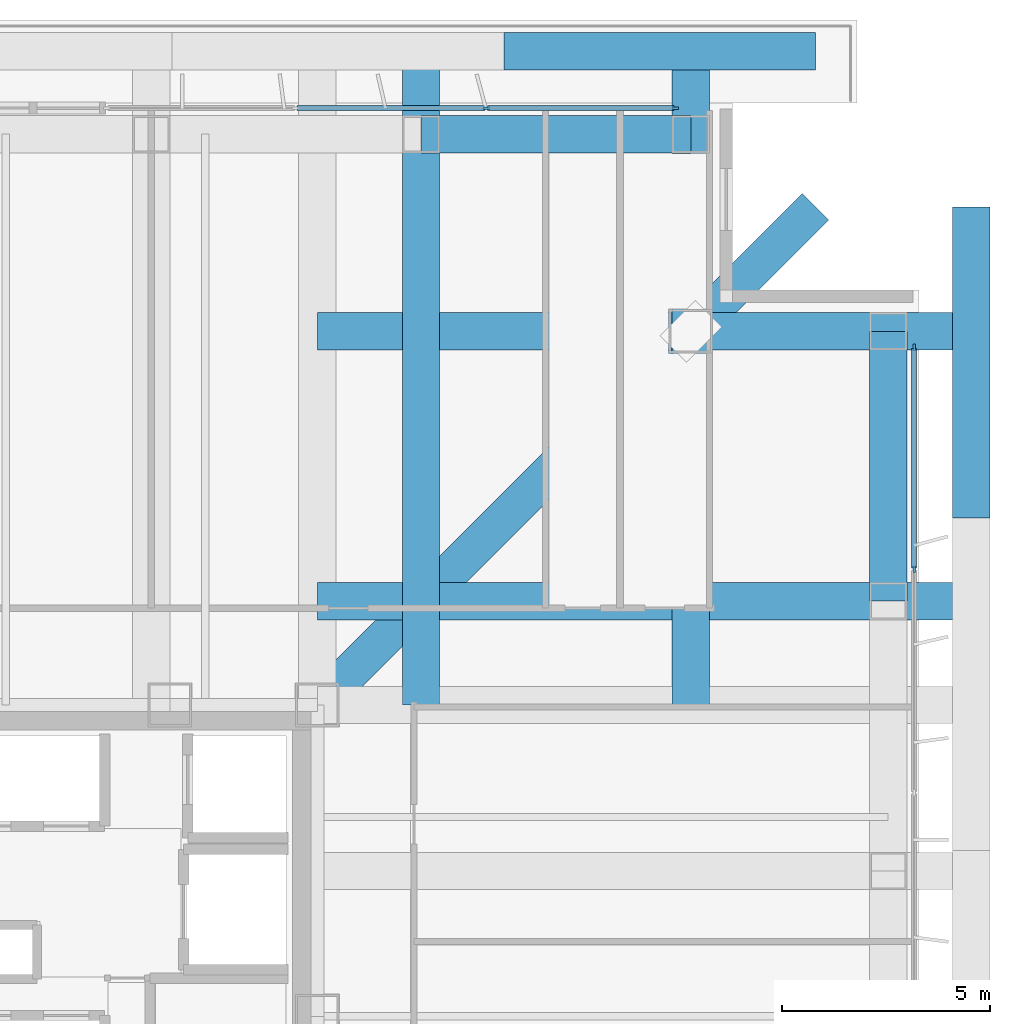
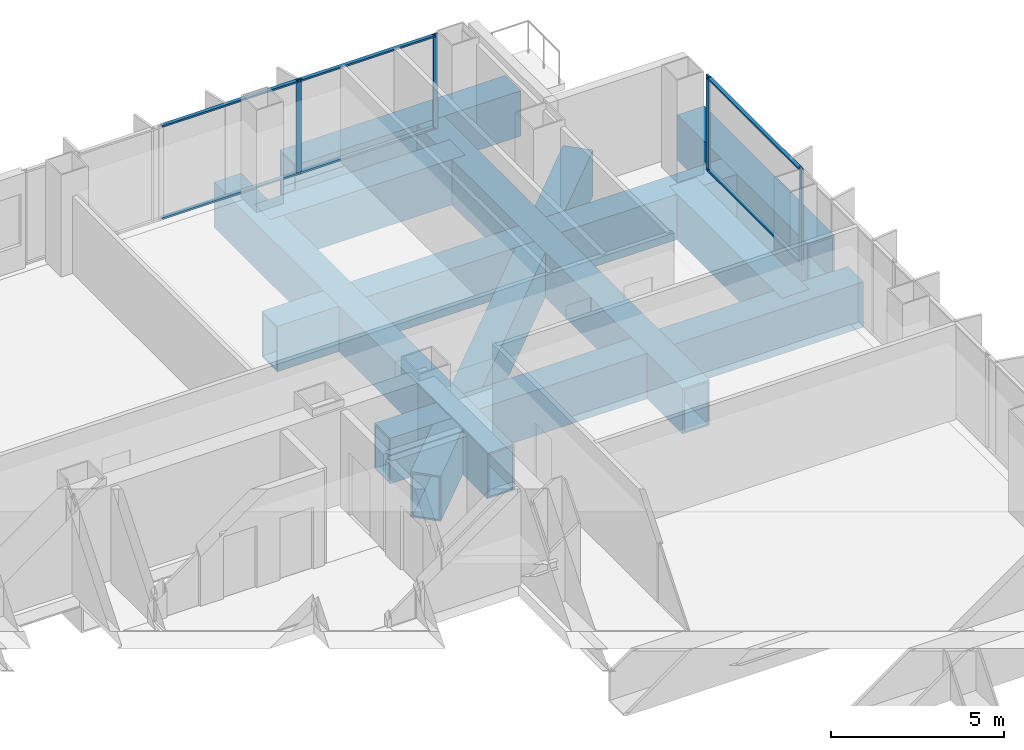
# One storey, part 10 of 17: 10 members, 9 beams, 2 elements without a shape of their own.
"""IFC4 building model written with IfcOpenShell, lengths in metres."""

from ifc_helpers import new_model, si_unit, direction, frame, origin, origin_2d, place, context, subcontext, project, spatial, rectangle, hollow_rectangle, extrude, material, layer, layer_set, material_profile, profile_set, type_object, element, aggregate, save


model = new_model("IFC4")

# Units and contexts
model_context = context("Model", 3, precision=1e-05, world=origin(), true_north=direction((0.0, 1.0)))
body_context = subcontext(model_context, "Body", "Model", "MODEL_VIEW")
ifc_project = project(units=[si_unit("LENGTHUNIT", "METRE"), si_unit("AREAUNIT", "SQUARE_METRE"), si_unit("VOLUMEUNIT", "CUBIC_METRE"), si_unit("PLANEANGLEUNIT", "RADIAN"), si_unit("MASSUNIT", "GRAM", prefix="KILO")], contexts=[model_context])

# Site, building, storey
site_placement = place(None, origin())
site = spatial("IfcSite", under=ifc_project, at=site_placement, CompositionType="ELEMENT")
building_placement = place(site_placement, origin())
building = spatial("IfcBuilding", under=site, at=building_placement, Name="Trevonay Congress Spire", CompositionType="ELEMENT")
storey_placement = place(building_placement, frame((0.0, 0.0, 94.0)))
storey = spatial("IfcBuildingStorey", under=building, at=storey_placement, Name="L23", CompositionType="ELEMENT", Elevation=94.0)

# Beams
ifc_material_1 = material(Name="Steel ASTM A572 Grade 50", Category="steel")
ifc_material_profile_1 = material_profile(ifc_material_1, hollow_rectangle(XDim=0.89990234375, YDim=1.60009765625, WallThickness=0.06005859375, at=origin_2d()), Name="BOX 1600x900x60")
ifc_profile_set_1 = profile_set([ifc_material_profile_1], Name="Steel ASTM A572 Grade 50")
beam_type_1 = type_object("IfcBeamType", Name="BM-RING-BOX1600", PredefinedType="BEAM", material=ifc_profile_set_1)
for number, where, z_axis, x_axis, name in (
    (1, (10.0, 21.25, -1.199951171875), (1.0, 0.0, 0.0), (0.0, 1.0, 0.0), "L23 structural beam BM-L23-PN5"),
    (2, (21.25, 10.0, -1.199951171875), (0.0, 1.0, 0.0), (-1.0, 0.0, 0.0), "L23 structural beam BM-L23-PE5"),
):
    element("IfcBeam", number, at=place(storey_placement, frame(where, z_axis=z_axis, x_axis=x_axis)), inside=storey, type_object=beam_type_1, Name=name, PredefinedType="BEAM", context=body_context, shape_type="SweptSolid", body=[
        extrude(hollow_rectangle(XDim=0.89990234375, YDim=1.60009765625, WallThickness=0.06005859375, at=origin_2d()), origin(), (0.0, 0.0, 1.0), 6.5),
    ])
for number, where, z_axis, x_axis, name in (
    (3, (12.0, 23.25, -1.199951171875), (1.0, 0.0, 0.0), (0.0, 1.0, 0.0), "L23 structural beam XOUT-L23-N4"),
    (4, (23.25, 12.0, -1.199951171875), (0.0, 1.0, 0.0), (-1.0, 0.0, 0.0), "L23 structural beam XOUT-L23-E4"),
):
    element("IfcBeam", number, at=place(storey_placement, frame(where, z_axis=z_axis, x_axis=x_axis)), inside=storey, type_object=beam_type_1, Name=name, PredefinedType="BEAM", context=body_context, shape_type="SweptSolid", body=[
        extrude(hollow_rectangle(XDim=0.89990234375, YDim=1.60009765625, WallThickness=0.06005859375, at=origin_2d()), origin(), (0.0, 0.0, 1.0), 7.5),
    ])
ifc_material_profile_2 = material_profile(ifc_material_1, hollow_rectangle(XDim=0.89990234375, YDim=1.60009765625, WallThickness=0.06005859375, at=origin_2d()), Name="BOX 1600x900x60")
ifc_profile_set_2 = profile_set([ifc_material_profile_2], Name="Steel ASTM A572 Grade 50")
beam_type_2 = type_object("IfcBeamType", Name="BM-XFER-BOX1600", PredefinedType="BEAM", material=ifc_profile_set_2)
beam_placement = place(storey_placement, frame((7.5, 7.5, -1.199951171875), z_axis=(0.707106781187, 0.707106781187, 0.0), x_axis=(-0.707106781187, 0.707106781187, 0.0)))
element("IfcBeam", 5, at=beam_placement, inside=storey, type_object=beam_type_2, Name="L23 structural beam BM-L23-CDNE", PredefinedType="BEAM", context=body_context, shape_type="SweptSolid", body=[
    extrude(hollow_rectangle(XDim=0.89990234375, YDim=1.60009765625, WallThickness=0.06005859375, at=origin_2d()), origin(), (0.0, 0.0, 1.0), 16.970458984375),
])
for number, where, z_axis, x_axis, name in (
    (6, (10.0, 7.5, -1.199951171875), (0.0, 1.0, 0.0), (-1.0, 0.0, 0.0), "L23 structural beam XFER-L23-N4"),
    (7, (7.5, 10.0, -1.199951171875), (1.0, 0.0, 0.0), (0.0, 1.0, 0.0), "L23 structural beam XFER-L23-E4"),
    (8, (16.5, 7.5, -1.199951171875), (0.0, 1.0, 0.0), (-1.0, 0.0, 0.0), "L23 structural beam XFER-L23-N5"),
    (9, (7.5, 16.5, -1.199951171875), (1.0, 0.0, 0.0), (0.0, 1.0, 0.0), "L23 structural beam XFER-L23-E5"),
):
    element("IfcBeam", number, at=place(storey_placement, frame(where, z_axis=z_axis, x_axis=x_axis)), inside=storey, type_object=beam_type_2, Name=name, PredefinedType="BEAM", context=body_context, shape_type="SweptSolid", body=[
        extrude(hollow_rectangle(XDim=0.89990234375, YDim=1.60009765625, WallThickness=0.06005859375, at=origin_2d()), origin(), (0.0, 0.0, 1.0), 15.75),
    ])

# Curtain wall, members
ifc_material_2 = material(Name="Pale Anodised Aluminium EN AW-6063-T6", Category="aluminium")
ifc_layer = layer(ifc_material_2, 0.175048828125, Name="Pale Anodised Aluminium EN AW-6063-T6")
ifc_layer_set = layer_set([ifc_layer], Name="Pale Anodised Aluminium EN AW-6063-T6")
curtain_wall_type = type_object("IfcCurtainWallType", Name="CW-SYS03-CONGRESS-PALE-METAL", PredefinedType="NOTDEFINED", material=ifc_layer_set)
curtain_wall_1_placement = place(storey_placement, origin())
curtain_wall_1 = element("IfcCurtainWall", 10, at=curtain_wall_1_placement, inside=storey, type_object=curtain_wall_type, Name="L23 NB unitised curtain wall", PredefinedType="NOTDEFINED")
ifc_material_profile_3 = material_profile(ifc_material_2, rectangle(XDim=0.06005859375, YDim=0.159912109375, at=origin_2d()), Name="CW-MULLION-160-ALUMINIUM")
ifc_profile_set_3 = profile_set([ifc_material_profile_3], Name="Pale Anodised Aluminium EN AW-6063-T6")
member_type_1 = type_object("IfcMemberType", Name="CW-MULLION-160-ALUMINIUM", PredefinedType="MULLION", material=ifc_profile_set_3)
member_1_placement = place(storey_placement, frame((11.566650390625, 21.8798828125, 0.0), z_axis=(0.0, 0.0, 1.0), x_axis=(0.0, 1.0, 0.0)))
member_1 = element("IfcMember", 11, at=member_1_placement, type_object=member_type_1, Name="CW03 mullion 3", PredefinedType="MULLION", context=body_context, shape_type="SweptSolid", body=[
    extrude(rectangle(XDim=0.06005859375, YDim=0.159912109375, at=origin_2d()), origin(), (0.0, 0.0, 1.0), 3.360107421875),
])
member_2_placement = place(storey_placement, frame((16.1201171875, 21.8798828125, 0.0), z_axis=(0.0, 0.0, 1.0), x_axis=(0.0, 1.0, 0.0)))
member_2 = element("IfcMember", 12, at=member_2_placement, type_object=member_type_1, Name="CW03 mullion 4", PredefinedType="MULLION", context=body_context, shape_type="SweptSolid", body=[
    extrude(rectangle(XDim=0.06005859375, YDim=0.159912109375, at=origin_2d()), origin(), (0.0, 0.0, 1.0), 3.360107421875),
])

curtain_wall_2_placement = place(storey_placement, origin())
curtain_wall_2 = element("IfcCurtainWall", 13, at=curtain_wall_2_placement, inside=storey, type_object=curtain_wall_type, Name="L23 E unitised curtain wall", PredefinedType="NOTDEFINED")
member_3_placement = place(storey_placement, frame((21.8798828125, 10.7666015625, 0.0), z_axis=(0.0, 0.0, 1.0), x_axis=(-1.0, 0.0, 0.0)))
member_3 = element("IfcMember", 14, at=member_3_placement, type_object=member_type_1, Name="CW03 mullion 6", PredefinedType="MULLION", context=body_context, shape_type="SweptSolid", body=[
    extrude(rectangle(XDim=0.06005859375, YDim=0.159912109375, at=origin_2d()), origin(), (0.0, 0.0, 1.0), 3.360107421875),
])
member_4_placement = place(storey_placement, frame((21.8798828125, 16.1201171875, 0.0), z_axis=(0.0, 0.0, 1.0), x_axis=(-1.0, 0.0, 0.0)))
member_4 = element("IfcMember", 15, at=member_4_placement, type_object=member_type_1, Name="CW03 mullion 7", PredefinedType="MULLION", context=body_context, shape_type="SweptSolid", body=[
    extrude(rectangle(XDim=0.06005859375, YDim=0.159912109375, at=origin_2d()), origin(), (0.0, 0.0, 1.0), 3.360107421875),
])

# Member
ifc_material_profile_4 = material_profile(ifc_material_2, rectangle(XDim=0.1201171875, YDim=0.06005859375, at=origin_2d()), Name="CW-TRANSOM-120-ALUMINIUM")
ifc_profile_set_4 = profile_set([ifc_material_profile_4], Name="Pale Anodised Aluminium EN AW-6063-T6")
member_type_2 = type_object("IfcMemberType", Name="CW-TRANSOM-120-ALUMINIUM", PredefinedType="USERDEFINED", material=ifc_profile_set_4)
member_5_placement = place(storey_placement, frame((7.013427734375, 21.8798828125, 0.06005859375), z_axis=(1.0, 0.0, 0.0), x_axis=(0.0, 1.0, 0.0)))
member_5 = element("IfcMember", 16, at=member_5_placement, type_object=member_type_2, Name="CW03 transom 2.1", ObjectType="TRANSOM", PredefinedType="USERDEFINED", context=body_context, shape_type="SweptSolid", body=[
    extrude(rectangle(XDim=0.1201171875, YDim=0.06005859375, at=origin_2d()), origin(), (0.0, 0.0, 1.0), 4.523193359375),
])

member_6_placement = place(storey_placement, frame((7.013427734375, 21.8798828125, 3.300048828125), z_axis=(1.0, 0.0, 0.0), x_axis=(0.0, 1.0, 0.0)))
member_6 = element("IfcMember", 17, at=member_6_placement, type_object=member_type_2, Name="CW03 transom 2.2", ObjectType="TRANSOM", PredefinedType="USERDEFINED", context=body_context, shape_type="SweptSolid", body=[
    extrude(rectangle(XDim=0.1201171875, YDim=0.06005859375, at=origin_2d()), origin(), (0.0, 0.0, 1.0), 4.523193359375),
])

member_7_placement = place(storey_placement, frame((11.5966796875, 21.8798828125, 0.06005859375), z_axis=(1.0, 0.0, 0.0), x_axis=(0.0, 1.0, 0.0)))
member_7 = element("IfcMember", 18, at=member_7_placement, type_object=member_type_2, Name="CW03 transom 3.1", ObjectType="TRANSOM", PredefinedType="USERDEFINED", context=body_context, shape_type="SweptSolid", body=[
    extrude(rectangle(XDim=0.1201171875, YDim=0.06005859375, at=origin_2d()), origin(), (0.0, 0.0, 1.0), 4.493408203125),
])

member_8_placement = place(storey_placement, frame((11.5966796875, 21.8798828125, 3.300048828125), z_axis=(1.0, 0.0, 0.0), x_axis=(0.0, 1.0, 0.0)))
member_8 = element("IfcMember", 19, at=member_8_placement, type_object=member_type_2, Name="CW03 transom 3.2", ObjectType="TRANSOM", PredefinedType="USERDEFINED", context=body_context, shape_type="SweptSolid", body=[
    extrude(rectangle(XDim=0.1201171875, YDim=0.06005859375, at=origin_2d()), origin(), (0.0, 0.0, 1.0), 4.493408203125),
])

aggregate(curtain_wall_1, [member_1, member_2, member_5, member_6, member_7, member_8])

member_9_placement = place(storey_placement, frame((21.8798828125, 10.796630859375, 0.06005859375), z_axis=(0.0, 1.0, 0.0), x_axis=(-1.0, 0.0, 0.0)))
member_9 = element("IfcMember", 20, at=member_9_placement, type_object=member_type_2, Name="CW03 transom 6.1", ObjectType="TRANSOM", PredefinedType="USERDEFINED", context=body_context, shape_type="SweptSolid", body=[
    extrude(rectangle(XDim=0.1201171875, YDim=0.06005859375, at=origin_2d()), origin(), (0.0, 0.0, 1.0), 5.29345703125),
])

member_10_placement = place(storey_placement, frame((21.8798828125, 10.796630859375, 3.300048828125), z_axis=(0.0, 1.0, 0.0), x_axis=(-1.0, 0.0, 0.0)))
member_10 = element("IfcMember", 21, at=member_10_placement, type_object=member_type_2, Name="CW03 transom 6.2", ObjectType="TRANSOM", PredefinedType="USERDEFINED", context=body_context, shape_type="SweptSolid", body=[
    extrude(rectangle(XDim=0.1201171875, YDim=0.06005859375, at=origin_2d()), origin(), (0.0, 0.0, 1.0), 5.29345703125),
])

aggregate(curtain_wall_2, [member_3, member_4, member_9, member_10])

save(model, "model.ifc")
